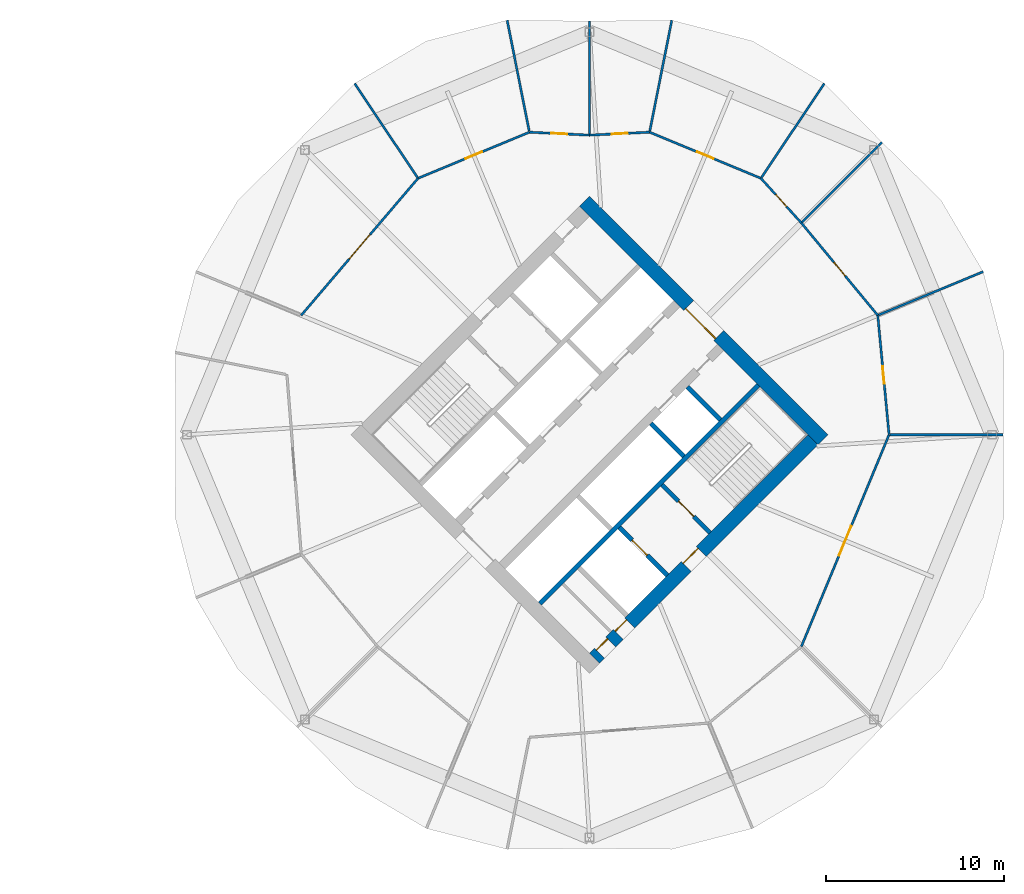
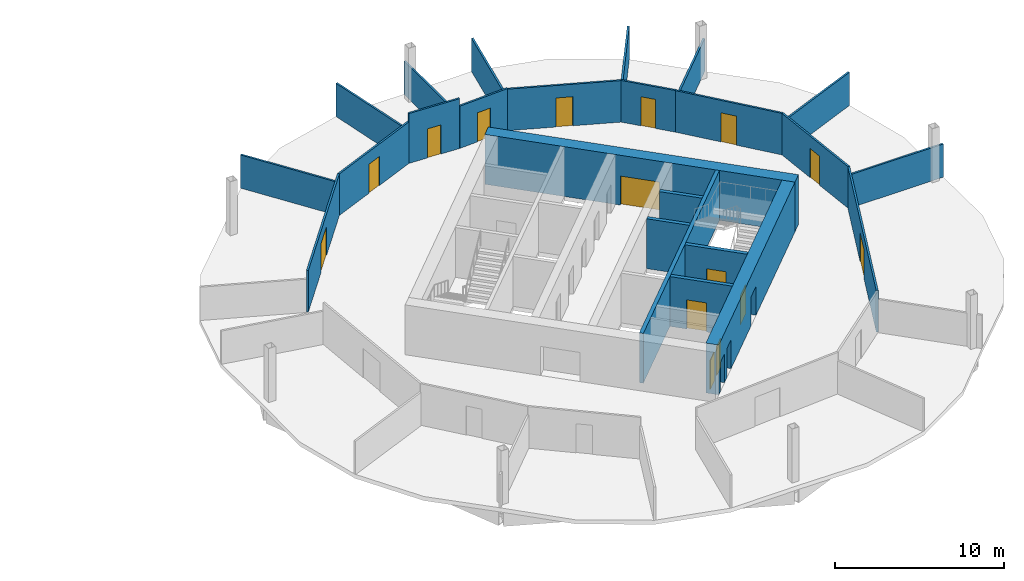
# One storey, part 7 of 9: 24 walls, 15 doors, 15 openings.
"""IFC4 building model written with IfcOpenShell, lengths in metres."""

from ifc_helpers import new_model, si_unit, direction, frame, frame_2d, origin, place, context, subcontext, project, spatial, rectangle, extrude, material, layer, layer_set, type_object, element, fill, save


model = new_model("IFC4")

# Units and contexts
model_context = context("Model", 3, precision=1e-05, world=origin(), true_north=direction((0.0, 1.0)))
body_context = subcontext(model_context, "Body", "Model", "MODEL_VIEW")
ifc_project = project(units=[si_unit("LENGTHUNIT", "METRE"), si_unit("AREAUNIT", "SQUARE_METRE"), si_unit("VOLUMEUNIT", "CUBIC_METRE"), si_unit("PLANEANGLEUNIT", "RADIAN"), si_unit("MASSUNIT", "GRAM", prefix="KILO")], contexts=[model_context])

# Site, building, storey
site_placement = place(None, origin())
site = spatial("IfcSite", under=ifc_project, at=site_placement, CompositionType="ELEMENT")
building_placement = place(site_placement, origin())
building = spatial("IfcBuilding", under=site, at=building_placement, Name="Ogive Gate Towers", CompositionType="ELEMENT")
storey_placement = place(building_placement, frame((0.0, 0.0, 80.10009765625)))
storey = spatial("IfcBuildingStorey", under=building, at=storey_placement, Name="L18", CompositionType="ELEMENT", Elevation=80.10009765625)

# Wall, openings, doors
ifc_material_1 = material(Name="Concrete C60/75", Category="concrete")
ifc_layer_1 = layer(ifc_material_1, 0.800048828125)
ifc_layer_set_1 = layer_set([ifc_layer_1], Name="Core wall 800 mm")
wall_type_1 = type_object("IfcWallType", Name="Core wall 800 mm", PredefinedType="SHEAR", material=ifc_layer_set_1)
wall_1_placement = place(storey_placement, frame((36.28271484375, -12.58642578125, 0.0), z_axis=(0.0, 0.0, 1.0), x_axis=(0.707106781187, 0.707106781187, 0.0)))
wall_1 = element("IfcWall", 1, at=wall_1_placement, inside=storey, type_object=wall_type_1, Name="T2 L18 Core wall 800 mm", PredefinedType="SHEAR", context=body_context, shape_type="SweptSolid", body=[
    extrude(rectangle(XDim=17.400146484375, YDim=0.800048828125, at=frame_2d((8.7001953125, 0.0))), origin(), (0.0, 0.0, 1.0), 3.599853515625),
])
opening_1_placement = place(wall_1_placement, frame((7.300048828125, 0.0, 0.0)))
opening_1 = element("IfcOpeningElement", 2, at=opening_1_placement, cuts=wall_1, Name="Opening KD-T2-L18-16", PredefinedType="OPENING", context=body_context, shape_type="SweptSolid", body=[
    extrude(rectangle(XDim=1.199951171875, YDim=2.10009765625, at=frame_2d((0.60009765625, 1.050048828125))), frame((0.0, 0.41015625, 0.0), z_axis=(0.0, -1.0, 0.0), x_axis=(1.0, 0.0, 0.0)), (0.0, 0.0, 1.0), 0.820068359375),
])
opening_2_placement = place(wall_1_placement, frame((0.39990234375, 0.0, 0.0)))
opening_2 = element("IfcOpeningElement", 3, at=opening_2_placement, cuts=wall_1, Name="Opening KD-T2-L18-18", PredefinedType="OPENING", context=body_context, shape_type="SweptSolid", body=[
    extrude(rectangle(XDim=0.89990234375, YDim=2.10009765625, at=frame_2d((0.449951171875, 1.050048828125))), frame((0.0, 0.41015625, 0.0), z_axis=(0.0, -1.0, 0.0), x_axis=(1.0, 0.0, 0.0)), (0.0, 0.0, 1.0), 0.820068359375),
])
opening_3_placement = place(wall_1_placement, frame((1.89990234375, 0.0, 0.0)))
opening_3 = element("IfcOpeningElement", 4, at=opening_3_placement, cuts=wall_1, Name="Opening KD-T2-L18-19", PredefinedType="OPENING", context=body_context, shape_type="SweptSolid", body=[
    extrude(rectangle(XDim=0.89990234375, YDim=2.10009765625, at=frame_2d((0.449951171875, 1.050048828125))), frame((0.0, 0.41015625, 0.0), z_axis=(0.0, -1.0, 0.0), x_axis=(1.0, 0.0, 0.0)), (0.0, 0.0, 1.0), 0.820068359375),
])
ifc_material_2 = material(Name="Timber door", Category="wood")
door_type_1 = type_object("IfcDoorType", Name="Core WC door 900 x 2100", OperationType="NOTDEFINED", PredefinedType="DOOR", material=ifc_material_2)
door_1_placement = place(opening_2_placement, origin())
door_1 = element("IfcDoor", 5, at=door_1_placement, inside=storey, type_object=door_type_1, Name="T2 L18 Core door", OperationType="SINGLE_SWING_LEFT", OverallHeight=2.10009765625, OverallWidth=0.89990234375, PredefinedType="DOOR", context=body_context, shape_type="SweptSolid", body=[
    extrude(rectangle(XDim=0.89990234375, YDim=2.10009765625, at=frame_2d((0.449951171875, 1.050048828125))), frame((0.0, 0.27490234375, 0.0), z_axis=(0.0, -1.0, 0.0), x_axis=(1.0, 0.0, 0.0)), (0.0, 0.0, 1.0), 0.050048828125),
])
fill(opening_2, door_1)
door_2_placement = place(opening_3_placement, origin())
door_2 = element("IfcDoor", 6, at=door_2_placement, inside=storey, type_object=door_type_1, Name="T2 L18 Core door", OperationType="SINGLE_SWING_RIGHT", OverallHeight=2.10009765625, OverallWidth=0.89990234375, PredefinedType="DOOR", context=body_context, shape_type="SweptSolid", body=[
    extrude(rectangle(XDim=0.89990234375, YDim=2.10009765625, at=frame_2d((0.449951171875, 1.050048828125))), frame((0.0, 0.27490234375, 0.0), z_axis=(0.0, -1.0, 0.0), x_axis=(1.0, 0.0, 0.0)), (0.0, 0.0, 1.0), 0.050048828125),
])
fill(opening_3, door_2)
ifc_material_3 = material(Name="Steel fire door", Category="steel")
door_type_2 = type_object("IfcDoorType", Name="Core door FD60S 1200 x 2100", OperationType="NOTDEFINED", PredefinedType="DOOR", material=ifc_material_3)
door_3_placement = place(opening_1_placement, origin())
door_3 = element("IfcDoor", 7, at=door_3_placement, inside=storey, type_object=door_type_2, Name="T2 L18 Fire-fighting lobby door", OperationType="SINGLE_SWING_LEFT", OverallHeight=2.10009765625, OverallWidth=1.199951171875, PredefinedType="DOOR", context=body_context, shape_type="SweptSolid", body=[
    extrude(rectangle(XDim=1.199951171875, YDim=2.10009765625, at=frame_2d((0.60009765625, 1.050048828125))), frame((0.0, 0.27490234375, 0.0), z_axis=(0.0, -1.0, 0.0), x_axis=(1.0, 0.0, 0.0)), (0.0, 0.0, 1.0), 0.050048828125),
])
fill(opening_1, door_3)

# Wall, opening, door
wall_2_placement = place(storey_placement, frame((49.152099609375, -0.28271484375, 0.0), z_axis=(0.0, 0.0, 1.0), x_axis=(-0.707106781187, 0.707106781187, 0.0)))
wall_2 = element("IfcWall", 8, at=wall_2_placement, inside=storey, type_object=wall_type_1, Name="T2 L18 Core wall 800 mm", PredefinedType="SHEAR", context=body_context, shape_type="SweptSolid", body=[
    extrude(rectangle(XDim=18.999755859375, YDim=0.800048828125, at=frame_2d((9.5, 0.0))), origin(), (0.0, 0.0, 1.0), 3.599853515625),
])
opening_4_placement = place(wall_2_placement, frame((8.300048828125, 0.0, 0.0)))
opening_4 = element("IfcOpeningElement", 9, at=opening_4_placement, cuts=wall_2, Name="Opening KD-T2-L18-02", PredefinedType="OPENING", context=body_context, shape_type="SweptSolid", body=[
    extrude(rectangle(XDim=2.39990234375, YDim=2.10009765625, at=frame_2d((1.199951171875, 1.050048828125))), frame((0.0, 0.41015625, 0.0), z_axis=(0.0, -1.0, 0.0), x_axis=(1.0, 0.0, 0.0)), (0.0, 0.0, 1.0), 0.820068359375),
])
door_type_3 = type_object("IfcDoorType", Name="Core double door FD60S 2400 x 2100", OperationType="DOUBLE_DOOR_SINGLE_SWING", PredefinedType="DOOR", material=ifc_material_3)
door_4_placement = place(opening_4_placement, origin())
door_4 = element("IfcDoor", 10, at=door_4_placement, inside=storey, type_object=door_type_3, Name="T2 L18 Core door double", OperationType="DOUBLE_DOOR_SINGLE_SWING", OverallHeight=2.10009765625, OverallWidth=2.39990234375, PredefinedType="DOOR", context=body_context, shape_type="SweptSolid", body=[
    extrude(rectangle(XDim=2.39990234375, YDim=2.10009765625, at=frame_2d((1.199951171875, 1.050048828125))), frame((0.0, 0.27490234375, 0.0), z_axis=(0.0, -1.0, 0.0), x_axis=(1.0, 0.0, 0.0)), (0.0, 0.0, 1.0), 0.050048828125),
])
fill(opening_4, door_4)

# Walls
ifc_material_4 = material(Name="Gypsum board partition")
ifc_layer_2 = layer(ifc_material_4, 0.125)
ifc_layer_set_2 = layer_set([ifc_layer_2], Name="Partition 125")
wall_type_2 = type_object("IfcWallType", Name="Partition 125", PredefinedType="PARTITIONING", material=ifc_layer_set_2)
for number, where, z_axis, x_axis, name in (
    (11, (59.299072265625, 0.0, 0.0), (0.0, 0.0, 1.0), (-1.0, 0.0, 0.0), "Partition T2-L18-001"),
    (12, (58.173095703125, 9.184326171875, 0.0), (0.0, 0.0, 1.0), (-0.923885020089, -0.382670183912, 0.0), "Partition T2-L18-002"),
    (13, (52.474853515625, 16.474853515625, 0.0), (0.0, 0.0, 1.0), (-0.707106781187, -0.707106781187, 0.0), "Partition T2-L18-003"),
    (14, (49.228515625, 19.784423828125, 0.0), (0.0, 0.0, 1.0), (-0.555823674739, -0.831300212077, 0.0), "Partition T2-L18-004"),
):
    element("IfcWall", number, at=place(storey_placement, frame(where, z_axis=z_axis, x_axis=x_axis)), inside=storey, type_object=wall_type_2, Name=name, PredefinedType="PARTITIONING", context=body_context, shape_type="SweptSolid", body=[
        extrude(rectangle(XDim=6.365966796875, YDim=0.125, at=frame_2d((3.18310546875, 0.0))), origin(), (0.0, 0.0, 1.0), 2.39990234375),
    ])
wall_3_placement = place(storey_placement, frame((40.6357421875, 23.34375, 0.0), z_axis=(0.0, 0.0, 1.0), x_axis=(-0.1947883958, -0.980845288953, 0.0)))
element("IfcWall", 15, at=wall_3_placement, inside=storey, type_object=wall_type_2, Name="Partition T2-L18-005", PredefinedType="PARTITIONING", context=body_context, shape_type="SweptSolid", body=[
    extrude(rectangle(XDim=6.36572265625, YDim=0.125, at=frame_2d((3.182861328125, 0.0))), origin(), (0.0, 0.0, 1.0), 2.39990234375),
])
wall_4_placement = place(storey_placement, frame((36.0, 23.299072265625, 0.0), z_axis=(0.0, 0.0, 1.0), x_axis=(0.0, -1.0, 0.0)))
element("IfcWall", 16, at=wall_4_placement, inside=storey, type_object=wall_type_2, Name="Partition T2-L18-006", PredefinedType="PARTITIONING", context=body_context, shape_type="SweptSolid", body=[
    extrude(rectangle(XDim=6.365966796875, YDim=0.125, at=frame_2d((3.18310546875, 0.0))), origin(), (0.0, 0.0, 1.0), 2.39990234375),
])
wall_5_placement = place(storey_placement, frame((31.3642578125, 23.34375, 0.0), z_axis=(0.0, 0.0, 1.0), x_axis=(0.1947883958, -0.980845288953, 0.0)))
element("IfcWall", 17, at=wall_5_placement, inside=storey, type_object=wall_type_2, Name="Partition T2-L18-007", PredefinedType="PARTITIONING", context=body_context, shape_type="SweptSolid", body=[
    extrude(rectangle(XDim=6.36572265625, YDim=0.125, at=frame_2d((3.182861328125, 0.0))), origin(), (0.0, 0.0, 1.0), 2.39990234375),
])
wall_6_placement = place(storey_placement, frame((22.771484375, 19.784423828125, 0.0), z_axis=(0.0, 0.0, 1.0), x_axis=(0.555823674739, -0.831300212077, 0.0)))
element("IfcWall", 18, at=wall_6_placement, inside=storey, type_object=wall_type_2, Name="Partition T2-L18-008", PredefinedType="PARTITIONING", context=body_context, shape_type="SweptSolid", body=[
    extrude(rectangle(XDim=6.365966796875, YDim=0.125, at=frame_2d((3.18310546875, 0.0))), origin(), (0.0, 0.0, 1.0), 2.39990234375),
])

# Wall, opening, door
wall_7_placement = place(storey_placement, frame((47.92919921875, -11.92919921875, 0.0), z_axis=(0.0, 0.0, 1.0), x_axis=(0.382694679749, 0.923874873612, 0.0)))
wall_7 = element("IfcWall", 19, at=wall_7_placement, inside=storey, type_object=wall_type_2, Name="Partition T2-L18-022", PredefinedType="PARTITIONING", context=body_context, shape_type="SweptSolid", body=[
    extrude(rectangle(XDim=12.912109375, YDim=0.125, at=frame_2d((6.4560546875, 0.0))), origin(), (0.0, 0.0, 1.0), 3.0),
])
opening_5_placement = place(wall_7_placement, frame((5.555908203125, 0.0, 0.0)))
opening_5 = element("IfcOpeningElement", 20, at=opening_5_placement, cuts=wall_7, Name="Opening T2-L18-D06", PredefinedType="OPENING", context=body_context, shape_type="SweptSolid", body=[
    extrude(rectangle(XDim=1.800048828125, YDim=2.10009765625, at=frame_2d((0.89990234375, 1.050048828125))), frame((0.0, 0.072509765625, 0.0), z_axis=(0.0, -1.0, 0.0), x_axis=(1.0, 0.0, 0.0)), (0.0, 0.0, 1.0), 0.14501953125),
])
door_type_4 = type_object("IfcDoorType", Name="Door pair 1800", OperationType="NOTDEFINED", PredefinedType="DOOR", material=ifc_material_2)
door_5_placement = place(opening_5_placement, origin())
door_5 = element("IfcDoor", 21, at=door_5_placement, inside=storey, type_object=door_type_4, Name="Door T2-L18-D06", OperationType="DOUBLE_DOOR_DOUBLE_SWING", OverallHeight=2.10009765625, OverallWidth=1.800048828125, PredefinedType="DOOR", context=body_context, shape_type="SweptSolid", body=[
    extrude(rectangle(XDim=1.800048828125, YDim=2.10009765625, at=frame_2d((0.89990234375, 1.050048828125))), frame((0.0, 0.02490234375, 0.0), z_axis=(0.0, -1.0, 0.0), x_axis=(1.0, 0.0, 0.0)), (0.0, 0.0, 1.0), 0.050048828125),
])
fill(opening_5, door_5)

wall_8_placement = place(storey_placement, frame((52.87060546875, 0.0, 0.0), z_axis=(0.0, 0.0, 1.0), x_axis=(-0.09426665702, 0.995546984011, 0.0)))
wall_8 = element("IfcWall", 22, at=wall_8_placement, inside=storey, type_object=wall_type_2, Name="Partition T2-L18-023", PredefinedType="PARTITIONING", context=body_context, shape_type="SweptSolid", body=[
    extrude(rectangle(XDim=6.75439453125, YDim=0.125, at=frame_2d((3.377197265625, 0.0))), origin(), (0.0, 0.0, 1.0), 3.0),
])
opening_6_placement = place(wall_8_placement, frame((2.876953125, 0.0, 0.0)))
opening_6 = element("IfcOpeningElement", 23, at=opening_6_placement, cuts=wall_8, Name="Opening T2-L18-D07", PredefinedType="OPENING", context=body_context, shape_type="SweptSolid", body=[
    extrude(rectangle(XDim=1.0, YDim=2.10009765625, at=frame_2d((0.5, 1.050048828125))), frame((0.0, 0.072509765625, 0.0), z_axis=(0.0, -1.0, 0.0), x_axis=(1.0, 0.0, 0.0)), (0.0, 0.0, 1.0), 0.14501953125),
])
door_type_5 = type_object("IfcDoorType", Name="Door 1000", OperationType="NOTDEFINED", PredefinedType="DOOR", material=ifc_material_2)
door_6_placement = place(opening_6_placement, origin())
door_6 = element("IfcDoor", 24, at=door_6_placement, inside=storey, type_object=door_type_5, Name="Door T2-L18-D07", OperationType="SINGLE_SWING_LEFT", OverallHeight=2.10009765625, OverallWidth=1.0, PredefinedType="DOOR", context=body_context, shape_type="SweptSolid", body=[
    extrude(rectangle(XDim=1.0, YDim=2.10009765625, at=frame_2d((0.5, 1.050048828125))), frame((0.0, 0.02490234375, 0.0), z_axis=(0.0, -1.0, 0.0), x_axis=(1.0, 0.0, 0.0)), (0.0, 0.0, 1.0), 0.050048828125),
])
fill(opening_6, door_6)

wall_9_placement = place(storey_placement, frame((52.23388671875, 6.724365234375, 0.0), z_axis=(0.0, 0.0, 1.0), x_axis=(-0.63732504297, 0.77059508797, 0.0)))
wall_9 = element("IfcWall", 25, at=wall_9_placement, inside=storey, type_object=wall_type_2, Name="Partition T2-L18-024", PredefinedType="PARTITIONING", context=body_context, shape_type="SweptSolid", body=[
    extrude(rectangle(XDim=6.75439453125, YDim=0.125, at=frame_2d((3.377197265625, 0.0))), origin(), (0.0, 0.0, 1.0), 3.0),
])
opening_7_placement = place(wall_9_placement, frame((2.876953125, 0.0, 0.0)))
opening_7 = element("IfcOpeningElement", 26, at=opening_7_placement, cuts=wall_9, Name="Opening T2-L18-D08", PredefinedType="OPENING", context=body_context, shape_type="SweptSolid", body=[
    extrude(rectangle(XDim=1.0, YDim=2.10009765625, at=frame_2d((0.5, 1.050048828125))), frame((0.0, 0.072509765625, 0.0), z_axis=(0.0, -1.0, 0.0), x_axis=(1.0, 0.0, 0.0)), (0.0, 0.0, 1.0), 0.14501953125),
])
door_7_placement = place(opening_7_placement, origin())
door_7 = element("IfcDoor", 27, at=door_7_placement, inside=storey, type_object=door_type_5, Name="Door T2-L18-D08", OperationType="SINGLE_SWING_RIGHT", OverallHeight=2.10009765625, OverallWidth=1.0, PredefinedType="DOOR", context=body_context, shape_type="SweptSolid", body=[
    extrude(rectangle(XDim=1.0, YDim=2.10009765625, at=frame_2d((0.5, 1.050048828125))), frame((0.0, 0.02490234375, 0.0), z_axis=(0.0, -1.0, 0.0), x_axis=(1.0, 0.0, 0.0)), (0.0, 0.0, 1.0), 0.050048828125),
])
fill(opening_7, door_7)

wall_10_placement = place(storey_placement, frame((47.92919921875, 11.92919921875, 0.0), z_axis=(0.0, 0.0, 1.0), x_axis=(-0.671139730798, 0.741330871976, 0.0)))
wall_10 = element("IfcWall", 28, at=wall_10_placement, inside=storey, type_object=wall_type_2, Name="Partition T2-L18-025", PredefinedType="PARTITIONING", context=body_context, shape_type="SweptSolid", body=[
    extrude(rectangle(XDim=3.3876953125, YDim=0.125, at=frame_2d((1.69384765625, 0.0))), origin(), (0.0, 0.0, 1.0), 3.010009765625),
])
opening_8_placement = place(wall_10_placement, frame((1.243896484375, 0.0, 0.0)))
opening_8 = element("IfcOpeningElement", 29, at=opening_8_placement, cuts=wall_10, Name="Opening T2-L18-D09", PredefinedType="OPENING", context=body_context, shape_type="SweptSolid", body=[
    extrude(rectangle(XDim=0.89990234375, YDim=2.10009765625, at=frame_2d((0.449951171875, 1.050048828125))), frame((0.0, 0.072509765625, 0.0), z_axis=(0.0, -1.0, 0.0), x_axis=(1.0, 0.0, 0.0)), (0.0, 0.0, 1.0), 0.14501953125),
])
door_type_6 = type_object("IfcDoorType", Name="Door 900", OperationType="NOTDEFINED", PredefinedType="DOOR", material=ifc_material_2)
door_8_placement = place(opening_8_placement, origin())
door_8 = element("IfcDoor", 30, at=door_8_placement, inside=storey, type_object=door_type_6, Name="Door T2-L18-D09", OperationType="SINGLE_SWING_LEFT", OverallHeight=2.10009765625, OverallWidth=0.89990234375, PredefinedType="DOOR", context=body_context, shape_type="SweptSolid", body=[
    extrude(rectangle(XDim=0.89990234375, YDim=2.10009765625, at=frame_2d((0.449951171875, 1.050048828125))), frame((0.0, 0.02490234375, 0.0), z_axis=(0.0, -1.0, 0.0), x_axis=(1.0, 0.0, 0.0)), (0.0, 0.0, 1.0), 0.050048828125),
])
fill(opening_8, door_8)

wall_11_placement = place(storey_placement, frame((45.655517578125, 14.440673828125, 0.0), z_axis=(0.0, 0.0, 1.0), x_axis=(-0.923881394158, 0.382678937923, 0.0)))
wall_11 = element("IfcWall", 31, at=wall_11_placement, inside=storey, type_object=wall_type_2, Name="Partition T2-L18-026", PredefinedType="PARTITIONING", context=body_context, shape_type="SweptSolid", body=[
    extrude(rectangle(XDim=6.788818359375, YDim=0.125, at=frame_2d((3.39453125, 0.0))), origin(), (0.0, 0.0, 1.0), 3.0),
])
opening_9_placement = place(wall_11_placement, frame((2.89404296875, 0.0, 0.0)))
opening_9 = element("IfcOpeningElement", 32, at=opening_9_placement, cuts=wall_11, Name="Opening T2-L18-D10", PredefinedType="OPENING", context=body_context, shape_type="SweptSolid", body=[
    extrude(rectangle(XDim=1.0, YDim=2.10009765625, at=frame_2d((0.5, 1.050048828125))), frame((0.0, 0.072509765625, 0.0), z_axis=(0.0, -1.0, 0.0), x_axis=(1.0, 0.0, 0.0)), (0.0, 0.0, 1.0), 0.14501953125),
])
door_9_placement = place(opening_9_placement, origin())
door_9 = element("IfcDoor", 33, at=door_9_placement, inside=storey, type_object=door_type_5, Name="Door T2-L18-D10", OperationType="SINGLE_SWING_RIGHT", OverallHeight=2.10009765625, OverallWidth=1.0, PredefinedType="DOOR", context=body_context, shape_type="SweptSolid", body=[
    extrude(rectangle(XDim=1.0, YDim=2.10009765625, at=frame_2d((0.5, 1.050048828125))), frame((0.0, 0.02490234375, 0.0), z_axis=(0.0, -1.0, 0.0), x_axis=(1.0, 0.0, 0.0)), (0.0, 0.0, 1.0), 0.050048828125),
])
fill(opening_9, door_9)

wall_12_placement = place(storey_placement, frame((39.383544921875, 17.03857421875, 0.0), z_axis=(0.0, 0.0, 1.0), x_axis=(-0.998770067475, -0.04958177404, 0.0)))
wall_12 = element("IfcWall", 34, at=wall_12_placement, inside=storey, type_object=wall_type_2, Name="Partition T2-L18-027", PredefinedType="PARTITIONING", context=body_context, shape_type="SweptSolid", body=[
    extrude(rectangle(XDim=3.3876953125, YDim=0.125, at=frame_2d((1.69384765625, 0.0))), origin(), (0.0, 0.0, 1.0), 3.0498046875),
])
opening_10_placement = place(wall_12_placement, frame((1.243896484375, 0.0, 0.0)))
opening_10 = element("IfcOpeningElement", 35, at=opening_10_placement, cuts=wall_12, Name="Opening T2-L18-D11", PredefinedType="OPENING", context=body_context, shape_type="SweptSolid", body=[
    extrude(rectangle(XDim=0.89990234375, YDim=2.10009765625, at=frame_2d((0.449951171875, 1.050048828125))), frame((0.0, 0.072509765625, 0.0), z_axis=(0.0, -1.0, 0.0), x_axis=(1.0, 0.0, 0.0)), (0.0, 0.0, 1.0), 0.14501953125),
])
door_10_placement = place(opening_10_placement, origin())
door_10 = element("IfcDoor", 36, at=door_10_placement, inside=storey, type_object=door_type_6, Name="Door T2-L18-D11", OperationType="SINGLE_SWING_LEFT", OverallHeight=2.10009765625, OverallWidth=0.89990234375, PredefinedType="DOOR", context=body_context, shape_type="SweptSolid", body=[
    extrude(rectangle(XDim=0.89990234375, YDim=2.10009765625, at=frame_2d((0.449951171875, 1.050048828125))), frame((0.0, 0.02490234375, 0.0), z_axis=(0.0, -1.0, 0.0), x_axis=(1.0, 0.0, 0.0)), (0.0, 0.0, 1.0), 0.050048828125),
])
fill(opening_10, door_10)

wall_13_placement = place(storey_placement, frame((36.0, 16.87060546875, 0.0), z_axis=(0.0, 0.0, 1.0), x_axis=(-0.998770067475, 0.04958177404, 0.0)))
wall_13 = element("IfcWall", 37, at=wall_13_placement, inside=storey, type_object=wall_type_2, Name="Partition T2-L18-028", PredefinedType="PARTITIONING", context=body_context, shape_type="SweptSolid", body=[
    extrude(rectangle(XDim=3.3876953125, YDim=0.125, at=frame_2d((1.69384765625, 0.0))), origin(), (0.0, 0.0, 1.0), 3.599853515625),
])
opening_11_placement = place(wall_13_placement, frame((1.243896484375, 0.0, 0.0)))
opening_11 = element("IfcOpeningElement", 38, at=opening_11_placement, cuts=wall_13, Name="Opening T2-L18-D12", PredefinedType="OPENING", context=body_context, shape_type="SweptSolid", body=[
    extrude(rectangle(XDim=0.89990234375, YDim=2.10009765625, at=frame_2d((0.449951171875, 1.050048828125))), frame((0.0, 0.072509765625, 0.0), z_axis=(0.0, -1.0, 0.0), x_axis=(1.0, 0.0, 0.0)), (0.0, 0.0, 1.0), 0.14501953125),
])
door_11_placement = place(opening_11_placement, origin())
door_11 = element("IfcDoor", 39, at=door_11_placement, inside=storey, type_object=door_type_6, Name="Door T2-L18-D12", OperationType="SINGLE_SWING_LEFT", OverallHeight=2.10009765625, OverallWidth=0.89990234375, PredefinedType="DOOR", context=body_context, shape_type="SweptSolid", body=[
    extrude(rectangle(XDim=0.89990234375, YDim=2.10009765625, at=frame_2d((0.449951171875, 1.050048828125))), frame((0.0, 0.02490234375, 0.0), z_axis=(0.0, -1.0, 0.0), x_axis=(1.0, 0.0, 0.0)), (0.0, 0.0, 1.0), 0.050048828125),
])
fill(opening_11, door_11)

wall_14_placement = place(storey_placement, frame((32.616455078125, 17.03857421875, 0.0), z_axis=(0.0, 0.0, 1.0), x_axis=(-0.923881394158, -0.382678937923, 0.0)))
wall_14 = element("IfcWall", 40, at=wall_14_placement, inside=storey, type_object=wall_type_2, Name="Partition T2-L18-029", PredefinedType="PARTITIONING", context=body_context, shape_type="SweptSolid", body=[
    extrude(rectangle(XDim=6.788818359375, YDim=0.125, at=frame_2d((3.39453125, 0.0))), origin(), (0.0, 0.0, 1.0), 3.0),
])
opening_12_placement = place(wall_14_placement, frame((2.89404296875, 0.0, 0.0)))
opening_12 = element("IfcOpeningElement", 41, at=opening_12_placement, cuts=wall_14, Name="Opening T2-L18-D13", PredefinedType="OPENING", context=body_context, shape_type="SweptSolid", body=[
    extrude(rectangle(XDim=1.0, YDim=2.10009765625, at=frame_2d((0.5, 1.050048828125))), frame((0.0, 0.072509765625, 0.0), z_axis=(0.0, -1.0, 0.0), x_axis=(1.0, 0.0, 0.0)), (0.0, 0.0, 1.0), 0.14501953125),
])
door_12_placement = place(opening_12_placement, origin())
door_12 = element("IfcDoor", 42, at=door_12_placement, inside=storey, type_object=door_type_5, Name="Door T2-L18-D13", OperationType="SINGLE_SWING_LEFT", OverallHeight=2.10009765625, OverallWidth=1.0, PredefinedType="DOOR", context=body_context, shape_type="SweptSolid", body=[
    extrude(rectangle(XDim=1.0, YDim=2.10009765625, at=frame_2d((0.5, 1.050048828125))), frame((0.0, 0.02490234375, 0.0), z_axis=(0.0, -1.0, 0.0), x_axis=(1.0, 0.0, 0.0)), (0.0, 0.0, 1.0), 0.050048828125),
])
fill(opening_12, door_12)

wall_15_placement = place(storey_placement, frame((26.344482421875, 14.440673828125, 0.0), z_axis=(0.0, 0.0, 1.0), x_axis=(-0.648764578555, -0.760989173124, 0.0)))
wall_15 = element("IfcWall", 43, at=wall_15_placement, inside=storey, type_object=wall_type_2, Name="Partition T2-L18-030", PredefinedType="PARTITIONING", context=body_context, shape_type="SweptSolid", body=[
    extrude(rectangle(XDim=10.139892578125, YDim=0.125, at=frame_2d((5.06982421875, 0.0))), origin(), (0.0, 0.0, 1.0), 3.0),
])
opening_13_placement = place(wall_15_placement, frame((4.169921875, 0.0, 0.0)))
opening_13 = element("IfcOpeningElement", 44, at=opening_13_placement, cuts=wall_15, Name="Opening T2-L18-D14", PredefinedType="OPENING", context=body_context, shape_type="SweptSolid", body=[
    extrude(rectangle(XDim=1.800048828125, YDim=2.10009765625, at=frame_2d((0.89990234375, 1.050048828125))), frame((0.0, 0.072509765625, 0.0), z_axis=(0.0, -1.0, 0.0), x_axis=(1.0, 0.0, 0.0)), (0.0, 0.0, 1.0), 0.14501953125),
])
door_13_placement = place(opening_13_placement, origin())
door_13 = element("IfcDoor", 45, at=door_13_placement, inside=storey, type_object=door_type_4, Name="Door T2-L18-D14", OperationType="DOUBLE_DOOR_DOUBLE_SWING", OverallHeight=2.10009765625, OverallWidth=1.800048828125, PredefinedType="DOOR", context=body_context, shape_type="SweptSolid", body=[
    extrude(rectangle(XDim=1.800048828125, YDim=2.10009765625, at=frame_2d((0.89990234375, 1.050048828125))), frame((0.0, 0.02490234375, 0.0), z_axis=(0.0, -1.0, 0.0), x_axis=(1.0, 0.0, 0.0)), (0.0, 0.0, 1.0), 0.050048828125),
])
fill(opening_13, door_13)

# Wall
ifc_layer_3 = layer(ifc_material_1, 0.25)
ifc_layer_set_3 = layer_set([ifc_layer_3], Name="Shaft wall 250 mm")
wall_type_3 = type_object("IfcWallType", Name="Shaft wall 250 mm", PredefinedType="SHEAR", material=ifc_layer_set_3)
wall_16_placement = place(storey_placement, frame((33.206787109375, -9.510498046875, 0.0), z_axis=(0.0, 0.0, 1.0), x_axis=(0.707106781187, 0.707106781187, 0.0)))
element("IfcWall", 46, at=wall_16_placement, inside=storey, type_object=wall_type_3, Name="T2 L18 Shaft wall 250 mm", PredefinedType="SHEAR", context=body_context, shape_type="SweptSolid", body=[
    extrude(rectangle(XDim=17.400146484375, YDim=0.25, at=frame_2d((8.7001953125, 0.0))), origin(), (0.0, 0.0, 1.0), 3.599853515625),
])

# Wall, opening, door
wall_17_placement = place(storey_placement, frame((40.384033203125, -7.919677734375, 0.0), z_axis=(0.0, 0.0, 1.0), x_axis=(-0.707074866995, 0.707138693938, 0.0)))
wall_17 = element("IfcWall", 47, at=wall_17_placement, inside=storey, type_object=wall_type_3, Name="T2 L18 Shaft wall 250 mm", PredefinedType="SHEAR", context=body_context, shape_type="SweptSolid", body=[
    extrude(rectangle(XDim=3.824951171875, YDim=0.25, at=frame_2d((1.91259765625, 0.0))), origin(), (0.0, 0.0, 1.0), 3.599853515625),
])
opening_14_placement = place(wall_17_placement, frame((1.60009765625, 0.0, 0.0)))
opening_14 = element("IfcOpeningElement", 48, at=opening_14_placement, cuts=wall_17, Name="Opening LD-T2-L18-11", PredefinedType="OPENING", context=body_context, shape_type="SweptSolid", body=[
    extrude(rectangle(XDim=1.199951171875, YDim=2.10009765625, at=frame_2d((0.60009765625, 1.050048828125))), frame((0.0, 0.135009765625, 0.0), z_axis=(0.0, -1.0, 0.0), x_axis=(1.0, 0.0, 0.0)), (0.0, 0.0, 1.0), 0.27001953125),
])
ifc_material_5 = material(Name="Stainless steel landing door", Category="steel")
door_type_7 = type_object("IfcDoorType", Name="Landing door 1200 x 2100", OperationType="SLIDING_TO_LEFT", PredefinedType="DOOR", material=ifc_material_5)
door_14_placement = place(opening_14_placement, origin())
door_14 = element("IfcDoor", 49, at=door_14_placement, inside=storey, type_object=door_type_7, Name="T2 L18 Lift landing door FF2", OperationType="SLIDING_TO_LEFT", OverallHeight=2.10009765625, OverallWidth=1.199951171875, PredefinedType="DOOR", context=body_context, shape_type="SweptSolid", body=[
    extrude(rectangle(XDim=1.199951171875, YDim=2.10009765625, at=frame_2d((0.60009765625, 1.050048828125))), frame((0.0, 0.02490234375, 0.0), z_axis=(0.0, -1.0, 0.0), x_axis=(1.0, 0.0, 0.0)), (0.0, 0.0, 1.0), 0.050048828125),
])
fill(opening_14, door_14)

wall_18_placement = place(storey_placement, frame((42.7880859375, -5.515380859375, 0.0), z_axis=(0.0, 0.0, 1.0), x_axis=(-0.707106781187, 0.707106781187, 0.0)))
wall_18 = element("IfcWall", 50, at=wall_18_placement, inside=storey, type_object=wall_type_3, Name="T2 L18 Shaft wall 250 mm", PredefinedType="SHEAR", context=body_context, shape_type="SweptSolid", body=[
    extrude(rectangle(XDim=3.824951171875, YDim=0.25, at=frame_2d((1.91259765625, 0.0))), origin(), (0.0, 0.0, 1.0), 3.599853515625),
])
opening_15_placement = place(wall_18_placement, frame((1.300048828125, 0.0, 0.0)))
opening_15 = element("IfcOpeningElement", 51, at=opening_15_placement, cuts=wall_18, Name="Opening KD-T2-L18-14", PredefinedType="OPENING", context=body_context, shape_type="SweptSolid", body=[
    extrude(rectangle(XDim=1.199951171875, YDim=2.10009765625, at=frame_2d((0.60009765625, 1.050048828125))), frame((0.0, 0.135009765625, 0.0), z_axis=(0.0, -1.0, 0.0), x_axis=(1.0, 0.0, 0.0)), (0.0, 0.0, 1.0), 0.27001953125),
])
door_15_placement = place(opening_15_placement, origin())
door_15 = element("IfcDoor", 52, at=door_15_placement, inside=storey, type_object=door_type_2, Name="T2 L18 Stair door", OperationType="SINGLE_SWING_LEFT", OverallHeight=2.10009765625, OverallWidth=1.199951171875, PredefinedType="DOOR", context=body_context, shape_type="SweptSolid", body=[
    extrude(rectangle(XDim=1.199951171875, YDim=2.10009765625, at=frame_2d((0.60009765625, 1.050048828125))), frame((0.0, 0.02490234375, 0.0), z_axis=(0.0, -1.0, 0.0), x_axis=(1.0, 0.0, 0.0)), (0.0, 0.0, 1.0), 0.050048828125),
])
fill(opening_15, door_15)

# Walls
for number, where, z_axis, x_axis, name in (
    (53, (41.321044921875, -1.2197265625, 0.0), (0.0, 0.0, 1.0), (-0.707106781187, 0.707106781187, 0.0), "T2 L18 Shaft wall 250 mm"),
    (54, (43.37158203125, 0.830810546875, 0.0), (0.0, 0.0, 1.0), (-0.707106781187, 0.707106781187, 0.0), "T2 L18 Shaft wall 250 mm"),
):
    element("IfcWall", number, at=place(storey_placement, frame(where, z_axis=z_axis, x_axis=x_axis)), inside=storey, type_object=wall_type_3, Name=name, PredefinedType="SHEAR", context=body_context, shape_type="SweptSolid", body=[
        extrude(rectangle(XDim=2.625, YDim=0.25, at=frame_2d((1.3125, 0.0))), origin(), (0.0, 0.0, 1.0), 3.599853515625),
    ])

save(model, "model.ifc")
